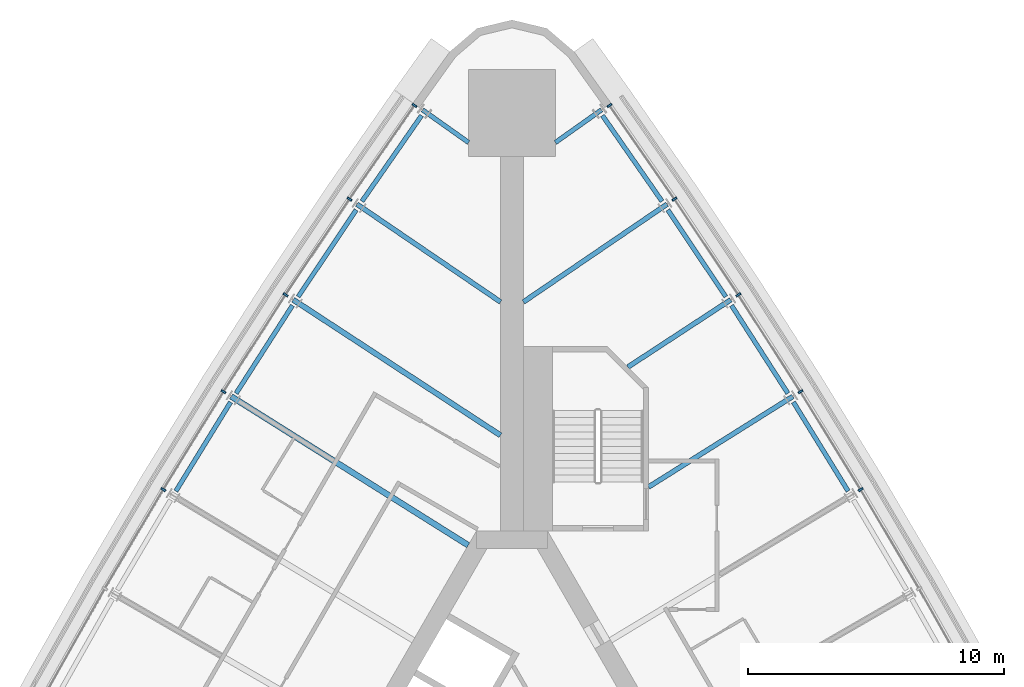
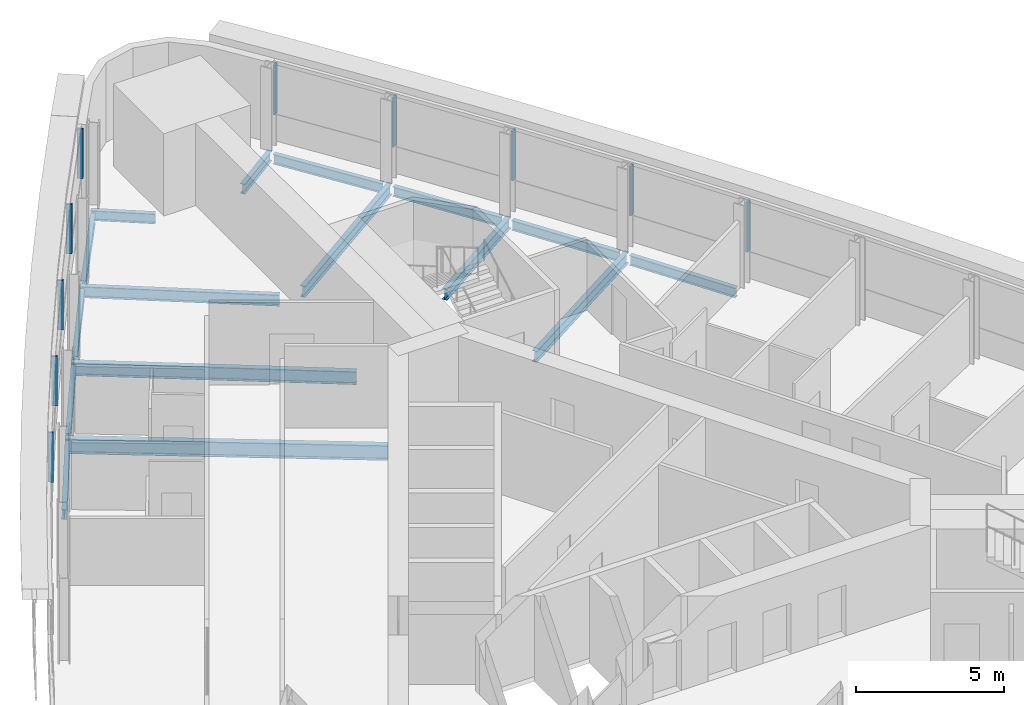
# One storey, part 8 of 15: 16 beams, 10 members, 2 elements without a shape of their own.
"""IFC4 building model written with IfcOpenShell, lengths in metres."""

from ifc_helpers import new_model, si_unit, direction, frame, origin, origin_2d, place, context, subcontext, project, spatial, rectangle, i_section, extrude, material, material_profile, profile_set, type_object, element, aggregate, save


model = new_model("IFC4")

# Units and contexts
model_context = context("Model", 3, precision=1e-05, world=origin(), true_north=direction((0.0, 1.0)))
body_context = subcontext(model_context, "Body", "Model", "MODEL_VIEW")
ifc_project = project(units=[si_unit("LENGTHUNIT", "METRE"), si_unit("AREAUNIT", "SQUARE_METRE"), si_unit("VOLUMEUNIT", "CUBIC_METRE"), si_unit("PLANEANGLEUNIT", "RADIAN"), si_unit("MASSUNIT", "GRAM", prefix="KILO")], contexts=[model_context])

# Site, building, storey
site_placement = place(None, origin())
site = spatial("IfcSite", under=ifc_project, at=site_placement, CompositionType="ELEMENT")
building_placement = place(site_placement, origin())
building = spatial("IfcBuilding", under=site, at=building_placement, Name="Noor Cloister Tower", CompositionType="ELEMENT")
storey_placement = place(building_placement, frame((0.0, 0.0, 31.199951171875)))
storey = spatial("IfcBuildingStorey", under=building, at=storey_placement, Name="L07", CompositionType="ELEMENT", Elevation=31.199951171875)

# Curtain wall, members
ifc_material_1 = material(Name="Aluminium 6063-T6 anodised", Category="aluminium")
curtain_wall_type = type_object("IfcCurtainWallType", Name="Ribbon curtain wall, lower tower CW1", PredefinedType="NOTDEFINED", material=ifc_material_1)
curtain_wall_1_placement = place(storey_placement, origin())
curtain_wall_1 = element("IfcCurtainWall", 1, at=curtain_wall_1_placement, inside=storey, type_object=curtain_wall_type, Name="CW1 L07 NW run 1", PredefinedType="NOTDEFINED")
ifc_material_2 = material(Name="Aluminium 6063-T6 anodised", Category="aluminium")
ifc_material_profile_1 = material_profile(ifc_material_2, rectangle(XDim=0.199951171875, YDim=0.080078125, at=origin_2d()), Name="200 x 80 mullion")
ifc_profile_set_1 = profile_set([ifc_material_profile_1], Name="Aluminium 6063-T6 anodised")
member_type = type_object("IfcMemberType", Name="Mullion CW1 80 x 200", PredefinedType="MULLION", material=ifc_profile_set_1)
member_1_placement = place(storey_placement, frame((-3.810546875, 28.087890625, 1.10009765625), z_axis=(0.0, 0.0, 1.0), x_axis=(0.821310840472, -0.570480940369, 0.0)))
member_1 = element("IfcMember", 2, at=member_1_placement, type_object=member_type, Name="CW1 mullion 1", PredefinedType="MULLION", context=body_context, shape_type="SweptSolid", body=[
    extrude(rectangle(XDim=0.199951171875, YDim=0.080078125, at=origin_2d()), origin(), (0.0, 0.0, 1.0), 2.050048828125),
])
member_2_placement = place(storey_placement, frame((-6.354248046875, 24.425537109375, 1.10009765625), z_axis=(0.0, 0.0, 1.0), x_axis=(0.826567745426, -0.562837243101, 0.0)))
member_2 = element("IfcMember", 3, at=member_2_placement, type_object=member_type, Name="CW1 mullion 2", PredefinedType="MULLION", context=body_context, shape_type="SweptSolid", body=[
    extrude(rectangle(XDim=0.199951171875, YDim=0.080078125, at=origin_2d()), origin(), (0.0, 0.0, 1.0), 2.050048828125),
])
member_3_placement = place(storey_placement, frame((-8.851318359375, 20.684326171875, 1.10009765625), z_axis=(0.0, 0.0, 1.0), x_axis=(0.83686770291, -0.547405195287, 0.0)))
member_3 = element("IfcMember", 4, at=member_3_placement, type_object=member_type, Name="CW1 mullion 3", PredefinedType="MULLION", context=body_context, shape_type="SweptSolid", body=[
    extrude(rectangle(XDim=0.199951171875, YDim=0.080078125, at=origin_2d()), origin(), (0.0, 0.0, 1.0), 2.050048828125),
])
member_4_placement = place(storey_placement, frame((-11.278564453125, 16.8974609375, 1.10009765625), z_axis=(0.0, 0.0, 1.0), x_axis=(0.846879579379, -0.531784710227, 0.0)))
member_4 = element("IfcMember", 5, at=member_4_placement, type_object=member_type, Name="CW1 mullion 4", PredefinedType="MULLION", context=body_context, shape_type="SweptSolid", body=[
    extrude(rectangle(XDim=0.199951171875, YDim=0.080078125, at=origin_2d()), origin(), (0.0, 0.0, 1.0), 2.050048828125),
])
member_5_placement = place(storey_placement, frame((-13.63525390625, 13.06591796875, 1.10009765625), z_axis=(0.0, 0.0, 1.0), x_axis=(0.856599928372, -0.515981165076, 0.0)))
member_5 = element("IfcMember", 6, at=member_5_placement, type_object=member_type, Name="CW1 mullion 5", PredefinedType="MULLION", context=body_context, shape_type="SweptSolid", body=[
    extrude(rectangle(XDim=0.199951171875, YDim=0.080078125, at=origin_2d()), origin(), (0.0, 0.0, 1.0), 2.050048828125),
])
aggregate(curtain_wall_1, [member_1, member_2, member_3, member_4, member_5])

curtain_wall_2_placement = place(storey_placement, origin())
curtain_wall_2 = element("IfcCurtainWall", 7, at=curtain_wall_2_placement, inside=storey, type_object=curtain_wall_type, Name="CW1 L07 NE run 3", PredefinedType="NOTDEFINED")
member_6_placement = place(storey_placement, frame((13.63525390625, 13.06591796875, 1.10009765625), z_axis=(0.0, 0.0, 1.0), x_axis=(-0.856599928372, -0.515981165076, 0.0)))
member_6 = element("IfcMember", 8, at=member_6_placement, type_object=member_type, Name="CW1 mullion 7", PredefinedType="MULLION", context=body_context, shape_type="SweptSolid", body=[
    extrude(rectangle(XDim=0.199951171875, YDim=0.080078125, at=origin_2d()), origin(), (0.0, 0.0, 1.0), 2.050048828125),
])
member_7_placement = place(storey_placement, frame((11.278564453125, 16.8974609375, 1.10009765625), z_axis=(0.0, 0.0, 1.0), x_axis=(-0.846879579379, -0.531784710227, 0.0)))
member_7 = element("IfcMember", 9, at=member_7_placement, type_object=member_type, Name="CW1 mullion 8", PredefinedType="MULLION", context=body_context, shape_type="SweptSolid", body=[
    extrude(rectangle(XDim=0.199951171875, YDim=0.080078125, at=origin_2d()), origin(), (0.0, 0.0, 1.0), 2.050048828125),
])
member_8_placement = place(storey_placement, frame((8.851318359375, 20.684326171875, 1.10009765625), z_axis=(0.0, 0.0, 1.0), x_axis=(-0.83686770291, -0.547405195287, 0.0)))
member_8 = element("IfcMember", 10, at=member_8_placement, type_object=member_type, Name="CW1 mullion 9", PredefinedType="MULLION", context=body_context, shape_type="SweptSolid", body=[
    extrude(rectangle(XDim=0.199951171875, YDim=0.080078125, at=origin_2d()), origin(), (0.0, 0.0, 1.0), 2.050048828125),
])
member_9_placement = place(storey_placement, frame((6.354248046875, 24.425537109375, 1.10009765625), z_axis=(0.0, 0.0, 1.0), x_axis=(-0.826567745426, -0.562837243101, 0.0)))
member_9 = element("IfcMember", 11, at=member_9_placement, type_object=member_type, Name="CW1 mullion 10", PredefinedType="MULLION", context=body_context, shape_type="SweptSolid", body=[
    extrude(rectangle(XDim=0.199951171875, YDim=0.080078125, at=origin_2d()), origin(), (0.0, 0.0, 1.0), 2.050048828125),
])
member_10_placement = place(storey_placement, frame((3.810546875, 28.087890625, 1.10009765625), z_axis=(0.0, 0.0, 1.0), x_axis=(-0.821310840472, -0.570480940369, 0.0)))
member_10 = element("IfcMember", 12, at=member_10_placement, type_object=member_type, Name="CW1 mullion 11", PredefinedType="MULLION", context=body_context, shape_type="SweptSolid", body=[
    extrude(rectangle(XDim=0.199951171875, YDim=0.080078125, at=origin_2d()), origin(), (0.0, 0.0, 1.0), 2.050048828125),
])
aggregate(curtain_wall_2, [member_6, member_7, member_8, member_9, member_10])

# Beams
ifc_material_3 = material(Name="Steel ASTM A992 Gr 50", Category="steel")
ifc_material_profile_2 = material_profile(ifc_material_3, i_section(OverallWidth=0.177978515625, OverallDepth=0.406005859375, WebThickness=0.0078125, FlangeThickness=0.0126953125, FilletRadius=0.01025390625, at=origin_2d()), Name="W410x60")
ifc_profile_set_2 = profile_set([ifc_material_profile_2], Name="Steel ASTM A992 Gr 50")
beam_type_1 = type_object("IfcBeamType", Name="Radial beam W410x60", PredefinedType="BEAM", material=ifc_profile_set_2)
for number, where, z_axis, x_axis, name in (
    (13, (-3.500244140625, 27.915771484375, -0.40283203125), (0.816037530309, -0.577998917929, 0.0), (0.577998917929, 0.816037530309, 0.0), "Radial beam NW 01 L07"),
    (14, (3.500244140625, 27.915771484375, -0.40283203125), (-0.816037530309, -0.577998917929, 0.0), (0.577998917929, -0.816037530309, 0.0), "Radial beam NE 11 L07"),
):
    element("IfcBeam", number, at=place(storey_placement, frame(where, z_axis=z_axis, x_axis=x_axis)), inside=storey, type_object=beam_type_1, Name=name, PredefinedType="BEAM", context=body_context, shape_type="SweptSolid", body=[
        extrude(i_section(OverallWidth=0.177978515625, OverallDepth=0.406005859375, WebThickness=0.0078125, FlangeThickness=0.0126953125, FilletRadius=0.01025390625, at=origin_2d()), origin(), (0.0, 0.0, 1.0), 2.2060546875),
    ])
ifc_material_4 = material(Name="Steel ASTM A992 Gr 50", Category="steel")
ifc_material_profile_3 = material_profile(ifc_material_4, i_section(OverallWidth=0.19091796875, OverallDepth=0.45703125, WebThickness=0.009033203125, FlangeThickness=0.014404296875, FilletRadius=0.01025390625, at=origin_2d()), Name="W460x74")
ifc_profile_set_3 = profile_set([ifc_material_profile_3], Name="Steel ASTM A992 Gr 50")
beam_type_2 = type_object("IfcBeamType", Name="Radial beam W460x74", PredefinedType="BEAM", material=ifc_profile_set_3)
beam_1_placement = place(storey_placement, frame((-6.0625, 24.22705078125, -0.428466796875), z_axis=(0.82656721714, -0.562838018927, 0.0), x_axis=(0.562838018927, 0.82656721714, 0.0)))
element("IfcBeam", 15, at=beam_1_placement, inside=storey, type_object=beam_type_2, Name="Radial beam NW 02 L07", PredefinedType="BEAM", context=body_context, shape_type="SweptSolid", body=[
    extrude(i_section(OverallWidth=0.19091796875, OverallDepth=0.45703125, WebThickness=0.009033203125, FlangeThickness=0.014404296875, FilletRadius=0.01025390625, at=origin_2d()), origin(), (0.0, 0.0, 1.0), 6.790283203125),
])
beam_2_placement = place(storey_placement, frame((10.979736328125, 16.709716796875, -0.428466796875), z_axis=(-0.846872723619, -0.531795628029, 0.0), x_axis=(0.531795628029, -0.846872723619, 0.0)))
element("IfcBeam", 16, at=beam_2_placement, inside=storey, type_object=beam_type_2, Name="Radial beam NE 08 L07", PredefinedType="BEAM", context=body_context, shape_type="SweptSolid", body=[
    extrude(i_section(OverallWidth=0.19091796875, OverallDepth=0.45703125, WebThickness=0.009033203125, FlangeThickness=0.014404296875, FilletRadius=0.01025390625, at=origin_2d()), origin(), (0.0, 0.0, 1.0), 6.66455078125),
])
beam_3_placement = place(storey_placement, frame((8.555908203125, 20.4912109375, -0.428466796875), z_axis=(-0.836847030542, -0.547436797697, 0.0), x_axis=(0.547436797697, -0.836847030542, 0.0)))
element("IfcBeam", 17, at=beam_3_placement, inside=storey, type_object=beam_type_2, Name="Radial beam NE 09 L07", PredefinedType="BEAM", context=body_context, shape_type="SweptSolid", body=[
    extrude(i_section(OverallWidth=0.19091796875, OverallDepth=0.45703125, WebThickness=0.009033203125, FlangeThickness=0.014404296875, FilletRadius=0.01025390625, at=origin_2d()), origin(), (0.0, 0.0, 1.0), 4.8076171875),
])
beam_4_placement = place(storey_placement, frame((6.0625, 24.22705078125, -0.428466796875), z_axis=(-0.82656721714, -0.562838018927, 0.0), x_axis=(0.562838018927, -0.82656721714, 0.0)))
element("IfcBeam", 18, at=beam_4_placement, inside=storey, type_object=beam_type_2, Name="Radial beam NE 10 L07", PredefinedType="BEAM", context=body_context, shape_type="SweptSolid", body=[
    extrude(i_section(OverallWidth=0.19091796875, OverallDepth=0.45703125, WebThickness=0.009033203125, FlangeThickness=0.014404296875, FilletRadius=0.01025390625, at=origin_2d()), origin(), (0.0, 0.0, 1.0), 6.790283203125),
])
ifc_material_5 = material(Name="Steel ASTM A992 Gr 50", Category="steel")
ifc_material_profile_4 = material_profile(ifc_material_5, i_section(OverallWidth=0.208984375, OverallDepth=0.532958984375, WebThickness=0.01025390625, FlangeThickness=0.015625, FilletRadius=0.0126953125, at=origin_2d()), Name="W530x92")
ifc_profile_set_4 = profile_set([ifc_material_profile_4], Name="Steel ASTM A992 Gr 50")
beam_type_3 = type_object("IfcBeamType", Name="Radial beam W530x92", PredefinedType="BEAM", material=ifc_profile_set_4)
beam_5_placement = place(storey_placement, frame((-8.555908203125, 20.4912109375, -0.466552734375), z_axis=(0.836865695673, -0.547408263918, 0.0), x_axis=(0.547408263918, 0.836865695673, 0.0)))
element("IfcBeam", 19, at=beam_5_placement, inside=storey, type_object=beam_type_3, Name="Radial beam NW 03 L07", PredefinedType="BEAM", context=body_context, shape_type="SweptSolid", body=[
    extrude(i_section(OverallWidth=0.208984375, OverallDepth=0.532958984375, WebThickness=0.01025390625, FlangeThickness=0.015625, FilletRadius=0.0126953125, at=origin_2d()), origin(), (0.0, 0.0, 1.0), 9.68603515625),
])
ifc_material_6 = material(Name="Steel ASTM A992 Gr 50", Category="steel")
ifc_material_profile_5 = material_profile(ifc_material_6, i_section(OverallWidth=0.22900390625, OverallDepth=0.612060546875, WebThickness=0.011962890625, FlangeThickness=0.01953125, FilletRadius=0.0126953125, at=origin_2d()), Name="W610x125")
ifc_profile_set_5 = profile_set([ifc_material_profile_5], Name="Steel ASTM A992 Gr 50")
beam_type_4 = type_object("IfcBeamType", Name="Radial beam W610x125", PredefinedType="BEAM", material=ifc_profile_set_5)
beam_6_placement = place(storey_placement, frame((-10.979736328125, 16.709716796875, -0.505859375), z_axis=(0.846877137243, -0.531788599366, 0.0), x_axis=(0.531788599366, 0.846877137243, 0.0)))
element("IfcBeam", 20, at=beam_6_placement, inside=storey, type_object=beam_type_4, Name="Radial beam NW 04 L07", PredefinedType="BEAM", context=body_context, shape_type="SweptSolid", body=[
    extrude(i_section(OverallWidth=0.22900390625, OverallDepth=0.612060546875, WebThickness=0.011962890625, FlangeThickness=0.01953125, FilletRadius=0.0126953125, at=origin_2d()), origin(), (0.0, 0.0, 1.0), 10.94287109375),
])
ifc_material_7 = material(Name="Steel ASTM A992 Gr 50", Category="steel")
ifc_material_profile_6 = material_profile(ifc_material_7, i_section(OverallWidth=0.177978515625, OverallDepth=0.406005859375, WebThickness=0.0078125, FlangeThickness=0.0126953125, FilletRadius=0.01025390625, at=origin_2d()), Name="W410x60")
ifc_profile_set_6 = profile_set([ifc_material_profile_6], Name="Steel ASTM A992 Gr 50")
beam_type_5 = type_object("IfcBeamType", Name="Spandrel beam W410x60", PredefinedType="SPANDREL", material=ifc_profile_set_6)
beam_7_placement = place(storey_placement, frame((-3.536376953125, 27.69384765625, -0.40283203125), z_axis=(-0.570498831948, -0.821298412726, 0.0), x_axis=(0.821298412726, -0.570498831948, 0.0)))
element("IfcBeam", 21, at=beam_7_placement, inside=storey, type_object=beam_type_5, Name="Spandrel beam NW 01 L07", PredefinedType="SPANDREL", context=body_context, shape_type="SweptSolid", body=[
    extrude(i_section(OverallWidth=0.177978515625, OverallDepth=0.406005859375, WebThickness=0.0078125, FlangeThickness=0.0126953125, FilletRadius=0.01025390625, at=origin_2d()), origin(), (0.0, 0.0, 1.0), 4.08544921875),
])
for number, where, z_axis, x_axis, name in (
    (22, (-6.094482421875, 24.00439453125, -0.40283203125), (-0.555113808571, -0.831774404231, 0.0), (0.831774404231, -0.555113808571, 0.0), "Spandrel beam NW 02 L07"),
    (23, (-8.583740234375, 20.267822265625, -0.40283203125), (-0.53964873939, -0.841890276743, 0.0), (0.841890276743, -0.53964873939, 0.0), "Spandrel beam NW 03 L07"),
    (24, (-11.00341796875, 16.486083984375, -0.40283203125), (-0.523867364691, -0.851799849854, 0.0), (0.851799849854, -0.523867364691, 0.0), "Spandrel beam NW 04 L07"),
    (25, (13.143798828125, 13.005859375, -0.40283203125), (-0.523867364691, 0.851799849854, 0.0), (-0.851799849854, -0.523867364691, 0.0), "Spandrel beam NE 07 L07"),
    (26, (10.78857421875, 16.828125, -0.40283203125), (-0.53964873939, 0.841890276743, 0.0), (-0.841890276743, -0.53964873939, 0.0), "Spandrel beam NE 08 L07"),
    (27, (8.362548828125, 20.60595703125, -0.40283203125), (-0.555113808571, 0.831774404231, 0.0), (-0.831774404231, -0.555113808571, 0.0), "Spandrel beam NE 09 L07"),
):
    element("IfcBeam", number, at=place(storey_placement, frame(where, z_axis=z_axis, x_axis=x_axis)), inside=storey, type_object=beam_type_5, Name=name, PredefinedType="SPANDREL", context=body_context, shape_type="SweptSolid", body=[
        extrude(i_section(OverallWidth=0.177978515625, OverallDepth=0.406005859375, WebThickness=0.0078125, FlangeThickness=0.0126953125, FilletRadius=0.01025390625, at=origin_2d()), origin(), (0.0, 0.0, 1.0), 4.085693359375),
    ])
beam_8_placement = place(storey_placement, frame((5.8671875, 24.33837890625, -0.40283203125), z_axis=(-0.570498831948, 0.821298412726, 0.0), x_axis=(-0.821298412726, -0.570498831948, 0.0)))
element("IfcBeam", 28, at=beam_8_placement, inside=storey, type_object=beam_type_5, Name="Spandrel beam NE 10 L07", PredefinedType="SPANDREL", context=body_context, shape_type="SweptSolid", body=[
    extrude(i_section(OverallWidth=0.177978515625, OverallDepth=0.406005859375, WebThickness=0.0078125, FlangeThickness=0.0126953125, FilletRadius=0.01025390625, at=origin_2d()), origin(), (0.0, 0.0, 1.0), 4.08544921875),
])

save(model, "model.ifc")
